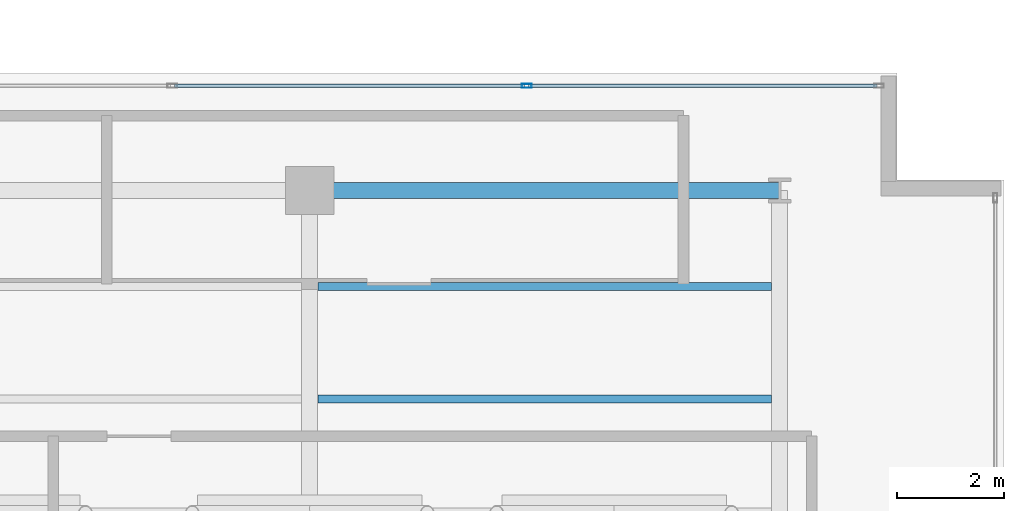
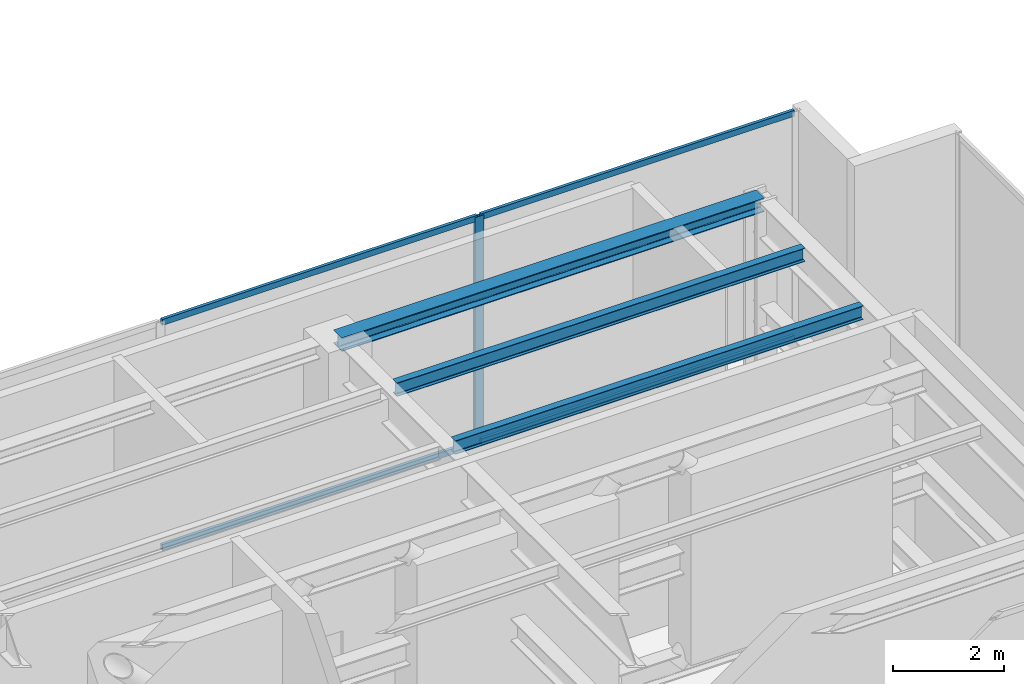
# One storey, part 18 of 29: 5 members, 3 beams, 1 element without a shape of its own.
"""IFC4 building model written with IfcOpenShell, lengths in metres."""

import ifcopenshell
import ifcopenshell.guid

model = None  # the IFC model being written
_history = None  # IfcOwnerHistory: only IFC2X3 demands one
_inside = {}  # id of a spatial element -> (the spatial element, [elements in it])
_under = {}  # id of a project, library or spatial element -> (it, [spatial elements below it])
_declared = {}  # id of a project -> (the project, [libraries it declares])
_typed = {}  # id of a type object -> (the type object, [elements of that type])
_made_of = {}  # id of a material, layer set ... -> (it, [elements and type objects made of it])


def new_model(schema):
    """Start an empty IFC model of exactly this schema.

    Asked for "IFC4X3", IfcOpenShell would pick the latest addendum, in which some entities
    have other attributes; the version numbers below select the first issue.
    IFC2X3 requires an IfcOwnerHistory on every rooted entity: one is made here for all.
    """
    global model, _history
    if schema == "IFC4X3":
        model = ifcopenshell.file(schema_version=(4, 3, 0, 0))
    else:
        model = ifcopenshell.file(schema=schema)
    _inside.clear()
    _under.clear()
    _declared.clear()
    _typed.clear()
    _made_of.clear()
    _history = None
    if model.schema == "IFC2X3":
        org = make("IfcOrganization", Name="unknown")
        user = make(
            "IfcPersonAndOrganization",
            ThePerson=make("IfcPerson", FamilyName="unknown"),
            TheOrganization=org,
        )
        app = make(
            "IfcApplication",
            ApplicationDeveloper=org,
            Version="unknown",
            ApplicationFullName="unknown",
            ApplicationIdentifier="unknown",
        )
        _history = make(
            "IfcOwnerHistory",
            OwningUser=user,
            OwningApplication=app,
            ChangeAction="ADDED",
            CreationDate=0,
        )
    return model


def make(cls, **values):
    """One entity of the class cls with the attributes given. An attribute that is None is left unset."""
    return model.create_entity(
        cls, **{name: value for name, value in values.items() if value is not None}
    )


def rooted(cls, **values):
    """An entity with a GlobalId (a new one), such as an element, a storey or a relation."""
    return make(cls, GlobalId=ifcopenshell.guid.new(), OwnerHistory=_history, **values)


def si_unit(unit_type, name, prefix=None):
    """IfcSIUnit, for example si_unit("LENGTHUNIT", "METRE", prefix="MILLI")."""
    return make("IfcSIUnit", UnitType=unit_type, Prefix=prefix, Name=name)


def assignment(units):
    """IfcUnitAssignment: the units of a project."""
    return None if units is None else make("IfcUnitAssignment", Units=units)


def point(xyz):
    """IfcCartesianPoint."""
    return None if xyz is None else make("IfcCartesianPoint", Coordinates=xyz)


def direction(xyz):
    """IfcDirection."""
    return None if xyz is None else make("IfcDirection", DirectionRatios=xyz)


def frame(location, z_axis=None, x_axis=None):
    """IfcAxis2Placement3D, a coordinate frame: its origin and axes. An axis left out is left unset."""
    return make(
        "IfcAxis2Placement3D",
        Location=point(location),
        Axis=direction(z_axis),
        RefDirection=direction(x_axis),
    )


def frame_2d(location, x_axis=None):
    """IfcAxis2Placement2D, a coordinate frame in the plane: its origin and x axis."""
    return make(
        "IfcAxis2Placement2D", Location=point(location), RefDirection=direction(x_axis)
    )


def origin():
    """The frame at (0, 0, 0) with its axes left unset."""
    return frame((0.0, 0.0, 0.0))


def origin_with_axes():
    """The frame at (0, 0, 0) with the z axis (0, 0, 1) and the x axis (1, 0, 0) written out."""
    return frame((0.0, 0.0, 0.0), z_axis=(0.0, 0.0, 1.0), x_axis=(1.0, 0.0, 0.0))


def origin_2d():
    """The frame at (0, 0) in the plane with its x axis left unset."""
    return frame_2d((0.0, 0.0))


def place(relative_to, where):
    """IfcLocalPlacement: puts the frame where relative to a parent placement (None: the world)."""
    return make(
        "IfcLocalPlacement", PlacementRelTo=relative_to, RelativePlacement=where
    )


def context(
    kind, dimensions, precision=None, world=None, true_north=None, identifier=None
):
    """IfcGeometricRepresentationContext, for example the 3D "Model" context."""
    return make(
        "IfcGeometricRepresentationContext",
        ContextIdentifier=identifier,
        ContextType=kind,
        CoordinateSpaceDimension=dimensions,
        Precision=precision,
        WorldCoordinateSystem=world,
        TrueNorth=true_north,
    )


def subcontext(parent, identifier, kind, view, scale=None):
    """IfcGeometricRepresentationSubContext, for example "Body" below "Model"."""
    return make(
        "IfcGeometricRepresentationSubContext",
        ContextIdentifier=identifier,
        ContextType=kind,
        ParentContext=parent,
        TargetScale=scale,
        TargetView=view,
    )


def project(units=None, contexts=None):
    """IfcProject with its units and contexts."""
    return rooted(
        "IfcProject",
        Name="project",
        RepresentationContexts=contexts,
        UnitsInContext=assignment(units),
    )


def spatial(cls, under=None, at=None, **own):
    """A site, building, storey or space (cls), placed at a placement, below another one or the project."""
    s = rooted(cls, ObjectPlacement=at, **own)
    if under is not None:
        _under.setdefault(under.id(), (under, []))[1].append(s)
    return s


def profile(cls, at=None, kind="AREA", **sizes):
    """A parametric profile (cls). Its sizes go by their IFC names, for example OverallWidth=200.0."""
    return make(cls, ProfileType=kind, Position=at, **sizes)


def hollow_rectangle(**sizes):
    """IfcRectangleHollowProfileDef."""
    return profile("IfcRectangleHollowProfileDef", **sizes)


def i_section(**sizes):
    """IfcIShapeProfileDef."""
    return profile("IfcIShapeProfileDef", **sizes)


def extrude(swept, where, along, depth):
    """IfcExtrudedAreaSolid: the profile swept, set in the frame where, extruded along a direction by depth."""
    return make(
        "IfcExtrudedAreaSolid",
        SweptArea=swept,
        Position=where,
        ExtrudedDirection=direction(along),
        Depth=depth,
    )


def shape(context_of_items, identifier, shape_type, items):
    """IfcShapeRepresentation: the items that make up one representation, for example the "Body"."""
    return make(
        "IfcShapeRepresentation",
        ContextOfItems=context_of_items,
        RepresentationIdentifier=identifier,
        RepresentationType=shape_type,
        Items=items,
    )


def source(mapping_origin, context_of_items, identifier, shape_type, items):
    """IfcRepresentationMap: a shape defined once, which mapped items show again and again."""
    return make(
        "IfcRepresentationMap",
        MappingOrigin=mapping_origin,
        MappedRepresentation=shape(context_of_items, identifier, shape_type, items),
    )


def transform(
    local_origin,
    x_axis=None,
    y_axis=None,
    z_axis=None,
    scale=None,
    scale2=None,
    scale3=None,
    uniform=True,
):
    """IfcCartesianTransformationOperator3D, or its non-uniform kind. x_axis, y_axis, z_axis: its Axis1, 2, 3."""
    if uniform:
        return make(
            "IfcCartesianTransformationOperator3D",
            Axis1=direction(x_axis),
            Axis2=direction(y_axis),
            LocalOrigin=point(local_origin),
            Scale=scale,
            Axis3=direction(z_axis),
        )
    return make(
        "IfcCartesianTransformationOperator3DnonUniform",
        Axis1=direction(x_axis),
        Axis2=direction(y_axis),
        LocalOrigin=point(local_origin),
        Scale=scale,
        Axis3=direction(z_axis),
        Scale2=scale2,
        Scale3=scale3,
    )


def mapped(mapping_source, mapping_target):
    """IfcMappedItem: shows the shape of a source again, moved by a transform."""
    return make(
        "IfcMappedItem", MappingSource=mapping_source, MappingTarget=mapping_target
    )


def material(Name=None, Category=None):
    """IfcMaterial."""
    return make("IfcMaterial", Name=Name, Category=Category)


def layer(
    of_material, thickness, ventilated=None, Name=None, Category=None, Priority=None
):
    """IfcMaterialLayer: one layer of a wall or slab, of a material (None: an air gap)."""
    return make(
        "IfcMaterialLayer",
        Material=of_material,
        LayerThickness=thickness,
        IsVentilated=ventilated,
        Name=Name,
        Category=Category,
        Priority=Priority,
    )


def layer_set(layers, Name=None):
    """IfcMaterialLayerSet."""
    return make("IfcMaterialLayerSet", MaterialLayers=layers, LayerSetName=Name)


def material_profile(
    of_material, cross_section, Name=None, Category=None, Priority=None
):
    """IfcMaterialProfile: a cross section and its material."""
    return make(
        "IfcMaterialProfile",
        Name=Name,
        Material=of_material,
        Profile=cross_section,
        Priority=Priority,
        Category=Category,
    )


def profile_set(profiles, Name=None, composite=None):
    """IfcMaterialProfileSet."""
    return make(
        "IfcMaterialProfileSet",
        Name=Name,
        MaterialProfiles=profiles,
        CompositeProfile=composite,
    )


def made_of(thing, what):
    """Note that an element or type object is made of a material, layer set ...; save() writes the relation."""
    if what is not None:
        _made_of.setdefault(what.id(), (what, []))[1].append(thing)
    return thing


def type_object(cls, material=None, **own):
    """A type object (cls), such as IfcWallType, which elements share."""
    return made_of(rooted(cls, **own), material)


def element(
    cls,
    number,
    at=None,
    inside=None,
    cuts=None,
    type_object=None,
    material=None,
    context=None,
    identifier="Body",
    shape_type=None,
    held_by="IfcProductDefinitionShape",
    body=None,
    shapes=None,
    **own,
):
    """One element of the class cls, such as IfcWall. Its Tag is "e" and its number.

    at: its placement. inside: the storey or other place that contains it. cuts: it is an
    opening in that element (IfcRelVoidsElement). A single representation is given by context,
    identifier, shape_type and body (its items); several are given by shapes. held_by: the class
    of the entity that holds the representations. save() writes the other relations.
    """
    e = rooted(cls, Tag="e%d" % number, ObjectPlacement=at, **own)
    if body is not None:
        shapes = [shape(context, identifier, shape_type, body)]
    if shapes is not None:
        e.Representation = make(held_by, Representations=shapes)
    if inside is not None:
        _inside.setdefault(inside.id(), (inside, []))[1].append(e)
    if cuts is not None:
        rooted(
            "IfcRelVoidsElement", RelatingBuildingElement=cuts, RelatedOpeningElement=e
        )
    if type_object is not None:
        _typed.setdefault(type_object.id(), (type_object, []))[1].append(e)
    return made_of(e, material)


def aggregate(whole, parts):
    """IfcRelAggregates: a whole, such as a stair, and the parts it consists of."""
    return rooted("IfcRelAggregates", RelatingObject=whole, RelatedObjects=parts)


def save(model, path):
    """Write the relations noted so far, then the file.

    IfcRelAggregates (storeys below a building ...), IfcRelContainedInSpatialStructure (elements
    in a storey), IfcRelDefinesByType, IfcRelAssociatesMaterial and IfcRelDeclares: one each for
    every whole, place, type object, material and project.
    """
    for whole, parts in _under.values():
        aggregate(whole, parts)
    for where, things in _inside.values():
        rooted(
            "IfcRelContainedInSpatialStructure",
            RelatedElements=things,
            RelatingStructure=where,
        )
    for kind, things in _typed.values():
        rooted("IfcRelDefinesByType", RelatedObjects=things, RelatingType=kind)
    for what, things in _made_of.values():
        rooted("IfcRelAssociatesMaterial", RelatedObjects=things, RelatingMaterial=what)
    for by, libraries in _declared.values():
        rooted("IfcRelDeclares", RelatingContext=by, RelatedDefinitions=libraries)
    model.write(path)


model = new_model("IFC4")

# Units and contexts
model_context = context("Model", 3, precision=1e-05, world=origin(), true_north=direction((0.0, 1.0)))
body_context = subcontext(model_context, "Body", "Model", "MODEL_VIEW")
ifc_project = project(units=[si_unit("LENGTHUNIT", "METRE"), si_unit("AREAUNIT", "SQUARE_METRE"), si_unit("VOLUMEUNIT", "CUBIC_METRE"), si_unit("PLANEANGLEUNIT", "RADIAN"), si_unit("MASSUNIT", "GRAM", prefix="KILO")], contexts=[model_context])

# Site, building, storey
site_placement = place(None, origin())
site = spatial("IfcSite", under=ifc_project, at=site_placement, CompositionType="ELEMENT")
building_placement = place(site_placement, origin())
building = spatial("IfcBuilding", under=site, at=building_placement, Name="Kolvaren Waterfront Exchange", CompositionType="ELEMENT")
storey_placement = place(building_placement, frame((0.0, 0.0, 338.800048828125)))
storey = spatial("IfcBuildingStorey", under=building, at=storey_placement, Name="L87", CompositionType="ELEMENT", Elevation=338.800048828125)

# Beams
ifc_material_1 = material(Name="Steel S355", Category="steel")
ifc_material_profile_1 = material_profile(ifc_material_1, i_section(OverallWidth=0.300048828125, OverallDepth=0.300048828125, WebThickness=0.010986328125, FlangeThickness=0.01904296875, FilletRadius=0.027099609375, at=origin_2d()), Name="HEB300")
ifc_profile_set_1 = profile_set([ifc_material_profile_1], Name="Steel S355")
beam_type_1 = type_object("IfcBeamType", Name="STR-BM-HEB300", PredefinedType="SPANDREL", material=ifc_profile_set_1)
beam_placement = place(storey_placement, frame((36.800048828125, 17.39990234375, 4.869873046875), z_axis=(1.0, 0.0, 0.0), x_axis=(0.0, 1.0, 0.0)))
element("IfcBeam", 1, at=beam_placement, inside=storey, type_object=beam_type_1, Name="L87 east-arm spandrel N3", PredefinedType="SPANDREL", context=body_context, shape_type="SweptSolid", body=[
    extrude(i_section(OverallWidth=0.300048828125, OverallDepth=0.300048828125, WebThickness=0.010986328125, FlangeThickness=0.01904296875, FilletRadius=0.027099609375, at=origin_2d()), origin(), (0.0, 0.0, 1.0), 8.800048828125),
])
ifc_material_profile_2 = material_profile(ifc_material_1, i_section(OverallWidth=0.14990234375, OverallDepth=0.300048828125, WebThickness=0.007080078125, FlangeThickness=0.0107421875, FilletRadius=0.014892578125, at=origin_2d()), Name="IPE300")
ifc_profile_set_2 = profile_set([ifc_material_profile_2], Name="Steel S355")
beam_type_2 = type_object("IfcBeamType", Name="STR-BM-IPE300", PredefinedType="JOIST", material=ifc_profile_set_2)
for number, where, z_axis, x_axis, name in (
    (2, (36.951904296875, 13.5, 4.869873046875), (1.0, 0.0, 0.0), (0.0, 1.0, 0.0), "L87 east-arm composite joist 3A"),
    (3, (36.951904296875, 15.60009765625, 4.869873046875), (1.0, 0.0, 0.0), (0.0, 1.0, 0.0), "L87 east-arm composite joist 3C"),
):
    element("IfcBeam", number, at=place(storey_placement, frame(where, z_axis=z_axis, x_axis=x_axis)), inside=storey, type_object=beam_type_2, Name=name, PredefinedType="JOIST", context=body_context, shape_type="SweptSolid", body=[
        extrude(i_section(OverallWidth=0.14990234375, OverallDepth=0.300048828125, WebThickness=0.007080078125, FlangeThickness=0.0107421875, FilletRadius=0.014892578125, at=origin_2d()), origin(), (0.0, 0.0, 1.0), 8.49609375),
    ])

# Curtain wall, members
ifc_material_2 = material(Name="Anodised dark bronze spandrel aluminium", Category="aluminium")
ifc_layer = layer(ifc_material_2, 0.219970703125, Name="Anodised dark bronze spandrel aluminium")
ifc_layer_set = layer_set([ifc_layer], Name="Anodised dark bronze spandrel aluminium")
curtain_wall_type = type_object("IfcCurtainWallType", Name="ARC-CW-SYS6", PredefinedType="USERDEFINED", material=ifc_layer_set)
curtain_wall_placement = place(storey_placement, origin())
curtain_wall = element("IfcCurtainWall", 4, at=curtain_wall_placement, inside=storey, type_object=curtain_wall_type, Name="L87 stick curtain wall CW6 (CW-L87-EN)", ObjectType="STICK CURTAIN WALL", PredefinedType="USERDEFINED")
ifc_material_3 = material(Name="Anodised bronze aluminium 6063-T6", Category="aluminium")
ifc_material_profile_3 = material_profile(ifc_material_3, hollow_rectangle(XDim=0.074951171875, YDim=0.179931640625, WallThickness=0.00439453125, at=origin_2d()), Name="ALU-MUL-180x75x4.5")
ifc_profile_set_3 = profile_set([ifc_material_profile_3], Name="Anodised bronze aluminium 6063-T6")
member_type_1 = type_object("IfcMemberType", Name="ARC-CWM-180", PredefinedType="MULLION", material=ifc_profile_set_3)
shared_shape_1 = source(origin_with_axes(), body_context, "Body", "SweptSolid", [
    extrude(hollow_rectangle(XDim=0.074951171875, YDim=0.179931640625, WallThickness=0.00439453125, at=origin_2d()), origin(), (0.0, 0.0, 1.0), 5.02001953125),
])
member_1_placement = place(storey_placement, frame((40.86328125, 19.360107421875, 0.0), z_axis=(0.0, 0.0, 1.0), x_axis=(0.0, 1.0, 0.0)))
member_1 = element("IfcMember", 5, at=member_1_placement, type_object=member_type_1, Name="CW6 mullion 3", PredefinedType="MULLION", context=body_context, shape_type="MappedRepresentation", body=[
    mapped(shared_shape_1, transform((0.0, 0.0, 0.0), x_axis=(1.0, 0.0, 0.0), y_axis=(0.0, 1.0, 0.0), z_axis=(0.0, 0.0, 1.0), scale=1.0)),
])
ifc_material_profile_4 = material_profile(ifc_material_3, hollow_rectangle(XDim=0.06494140625, YDim=0.1298828125, WallThickness=0.00390625, at=origin_2d()), Name="ALU-TRN-130x65x4")
ifc_profile_set_4 = profile_set([ifc_material_profile_4], Name="Anodised bronze aluminium 6063-T6")
member_type_2 = type_object("IfcMemberType", Name="ARC-CWT-130", PredefinedType="USERDEFINED", material=ifc_profile_set_4)
shared_shape_2 = source(origin_with_axes(), body_context, "Body", "SweptSolid", [
    extrude(hollow_rectangle(XDim=0.06494140625, YDim=0.1298828125, WallThickness=0.00390625, at=origin_2d()), origin(), (0.0, 0.0, 1.0), 6.524169921875),
])
member_2_placement = place(storey_placement, frame((40.90087890625, 19.360107421875, 0.032470703125), z_axis=(1.0, 0.0, 0.0), x_axis=(0.0, 1.0, 0.0)))
member_2 = element("IfcMember", 6, at=member_2_placement, type_object=member_type_2, Name="CW6 transom 3.1", ObjectType="TRANSOM", PredefinedType="USERDEFINED", context=body_context, shape_type="MappedRepresentation", body=[
    mapped(shared_shape_2, transform((0.0, 0.0, 0.0), x_axis=(1.0, 0.0, 0.0), y_axis=(0.0, 1.0, 0.0), z_axis=(0.0, 0.0, 1.0), scale=1.0)),
])
member_3_placement = place(storey_placement, frame((40.90087890625, 19.360107421875, 4.987548828125), z_axis=(1.0, 0.0, 0.0), x_axis=(0.0, 1.0, 0.0)))
member_3 = element("IfcMember", 7, at=member_3_placement, type_object=member_type_2, Name="CW6 transom 3.2", ObjectType="TRANSOM", PredefinedType="USERDEFINED", context=body_context, shape_type="MappedRepresentation", body=[
    mapped(shared_shape_2, transform((0.0, 0.0, 0.0), x_axis=(1.0, 0.0, 0.0), y_axis=(0.0, 1.0, 0.0), z_axis=(0.0, 0.0, 1.0), scale=1.0)),
])
shared_shape_3 = source(origin_with_axes(), body_context, "Body", "SweptSolid", [
    extrude(hollow_rectangle(XDim=0.06494140625, YDim=0.1298828125, WallThickness=0.00390625, at=origin_2d()), origin(), (0.0, 0.0, 1.0), 6.561767578125),
])
member_4_placement = place(storey_placement, frame((34.26416015625, 19.360107421875, 0.032470703125), z_axis=(1.0, 0.0, 0.0), x_axis=(0.0, 1.0, 0.0)))
member_4 = element("IfcMember", 8, at=member_4_placement, type_object=member_type_2, Name="CW6 transom 2.1", ObjectType="TRANSOM", PredefinedType="USERDEFINED", context=body_context, shape_type="MappedRepresentation", body=[
    mapped(shared_shape_3, transform((0.0, 0.0, 0.0), x_axis=(1.0, 0.0, 0.0), y_axis=(0.0, 1.0, 0.0), z_axis=(0.0, 0.0, 1.0), scale=1.0)),
])
member_5_placement = place(storey_placement, frame((34.26416015625, 19.360107421875, 4.987548828125), z_axis=(1.0, 0.0, 0.0), x_axis=(0.0, 1.0, 0.0)))
member_5 = element("IfcMember", 9, at=member_5_placement, type_object=member_type_2, Name="CW6 transom 2.2", ObjectType="TRANSOM", PredefinedType="USERDEFINED", context=body_context, shape_type="MappedRepresentation", body=[
    mapped(shared_shape_3, transform((0.0, 0.0, 0.0), x_axis=(1.0, 0.0, 0.0), y_axis=(0.0, 1.0, 0.0), z_axis=(0.0, 0.0, 1.0), scale=1.0)),
])
aggregate(curtain_wall, [member_1, member_4, member_5, member_2, member_3])

save(model, "model.ifc")
